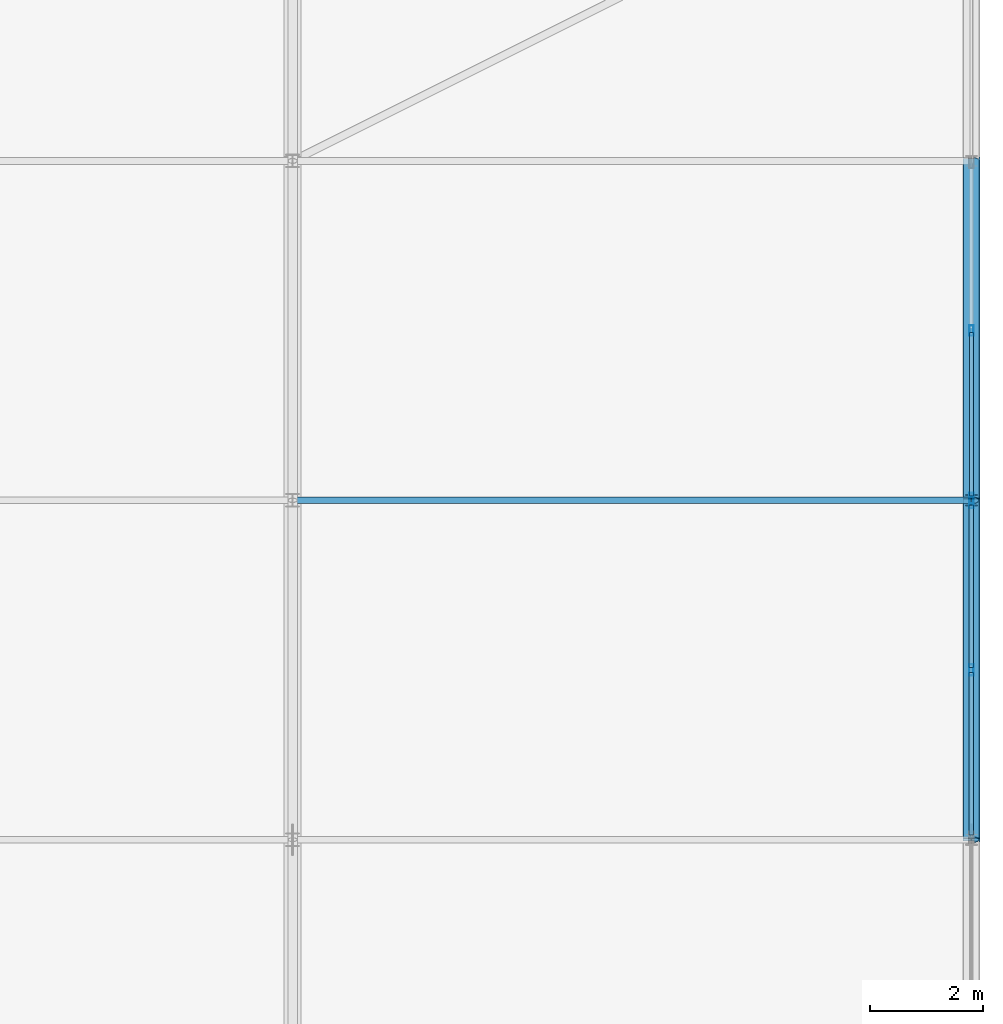
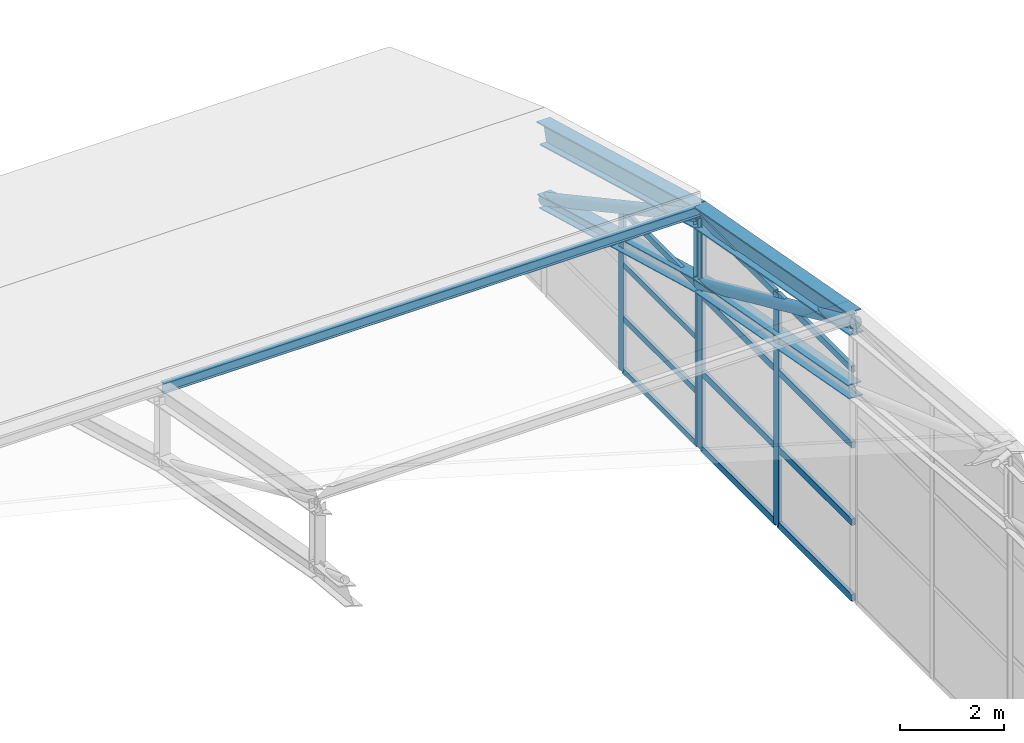
# One storey, part 114 of 204: 24 members, 2 elements without a shape of their own.
"""IFC4 building model written with IfcOpenShell, lengths in metres."""

from ifc_helpers import new_model, si_unit, direction, frame, origin, origin_2d, place, context, subcontext, project, spatial, hollow_rectangle, hollow_circle, i_section, extrude, material, layer, layer_set, material_profile, profile_set, type_object, element, aggregate, save


model = new_model("IFC4")

# Units and contexts
model_context = context("Model", 3, precision=1e-05, world=origin(), true_north=direction((0.0, 1.0)))
body_context = subcontext(model_context, "Body", "Model", "MODEL_VIEW")
ifc_project = project(units=[si_unit("LENGTHUNIT", "METRE"), si_unit("AREAUNIT", "SQUARE_METRE"), si_unit("VOLUMEUNIT", "CUBIC_METRE"), si_unit("PLANEANGLEUNIT", "RADIAN"), si_unit("MASSUNIT", "GRAM", prefix="KILO")], contexts=[model_context])

# Site, building, storey
site_placement = place(None, origin())
site = spatial("IfcSite", under=ifc_project, at=site_placement, CompositionType="ELEMENT")
building_placement = place(site_placement, origin())
building = spatial("IfcBuilding", under=site, at=building_placement, Name="Zilviju Railside Exhibition Hall", CompositionType="ELEMENT")
storey_placement = place(building_placement, frame((0.0, 0.0, 21.0)))
storey = spatial("IfcBuildingStorey", under=building, at=storey_placement, Name="RF", CompositionType="ELEMENT", Elevation=21.0)

# Curtain wall, members
ifc_material_1 = material(Name="Thermally broken aluminium-steel triple-glazed curtain wall", Category="steel")
ifc_layer_1 = layer(ifc_material_1, 0.179931640625)
ifc_layer_set_1 = layer_set([ifc_layer_1], Name="Thermally broken aluminium-steel triple-glazed curtain wall")
curtain_wall_type_1 = type_object("IfcCurtainWallType", Name="CW-BAY-05", PredefinedType="USERDEFINED", material=ifc_layer_set_1)
curtain_wall_1_placement = place(storey_placement, origin())
curtain_wall_1 = element("IfcCurtainWall", 1, at=curtain_wall_1_placement, inside=storey, type_object=curtain_wall_type_1, Name="South Hall Arch Tympanum Glazing East P8", ObjectType="GLAZED CURTAIN WALL", PredefinedType="USERDEFINED")
ifc_material_2 = material(Name="Thermally broken anodized aluminium mullion", Category="aluminium")
ifc_material_profile_1 = material_profile(ifc_material_2, hollow_rectangle(XDim=0.074951171875, YDim=0.18994140625, WallThickness=0.0048828125, at=origin_2d()), Name="MULLION 190x75x5")
ifc_profile_set_1 = profile_set([ifc_material_profile_1], Name="Thermally broken anodized aluminium mullion")
member_type_1 = type_object("IfcMemberType", Name="CWM-75x190", PredefinedType="MULLION", material=ifc_profile_set_1)
member_1_placement = place(storey_placement, frame((216.0, 45.0, -7.800048828125), z_axis=(0.0, 0.0, 1.0), x_axis=(1.0, 0.0, 0.0)))
member_1 = element("IfcMember", 2, at=member_1_placement, type_object=member_type_1, Name="CW-05 mullion 2", PredefinedType="MULLION", context=body_context, shape_type="SweptSolid", body=[
    extrude(hollow_rectangle(XDim=0.074951171875, YDim=0.18994140625, WallThickness=0.0048828125, at=origin_2d()), origin(), (0.0, 0.0, 1.0), 3.81201171875),
])
member_2_placement = place(storey_placement, frame((216.0, 42.03759765625, -7.800048828125), z_axis=(0.0, 0.0, 1.0), x_axis=(1.0, 0.0, 0.0)))
member_2 = element("IfcMember", 3, at=member_2_placement, type_object=member_type_1, Name="CW-05 mullion 3", PredefinedType="MULLION", context=body_context, shape_type="SweptSolid", body=[
    extrude(hollow_rectangle(XDim=0.074951171875, YDim=0.18994140625, WallThickness=0.0048828125, at=origin_2d()), origin(), (0.0, 0.0, 1.0), 3.81201171875),
])

ifc_layer_2 = layer(ifc_material_1, 0.179931640625)
ifc_layer_set_2 = layer_set([ifc_layer_2], Name="Thermally broken aluminium-steel triple-glazed curtain wall")
curtain_wall_type_2 = type_object("IfcCurtainWallType", Name="CW-BAY-04", PredefinedType="USERDEFINED", material=ifc_layer_set_2)
curtain_wall_2_placement = place(storey_placement, origin())
curtain_wall_2 = element("IfcCurtainWall", 4, at=curtain_wall_2_placement, inside=storey, type_object=curtain_wall_type_2, Name="South Hall Arch Tympanum Glazing East P7", ObjectType="GLAZED CURTAIN WALL", PredefinedType="USERDEFINED")
ifc_material_profile_2 = material_profile(ifc_material_2, hollow_rectangle(XDim=0.080078125, YDim=0.199951171875, WallThickness=0.0048828125, at=origin_2d()), Name="MULLION 200x80x5")
ifc_profile_set_2 = profile_set([ifc_material_profile_2], Name="Thermally broken anodized aluminium mullion")
member_type_2 = type_object("IfcMemberType", Name="CWM-80x200", PredefinedType="MULLION", material=ifc_profile_set_2)
member_3_placement = place(storey_placement, frame((216.0, 41.9599609375, -7.800048828125), z_axis=(0.0, 0.0, 1.0), x_axis=(1.0, 0.0, 0.0)))
member_3 = element("IfcMember", 5, at=member_3_placement, type_object=member_type_2, Name="CW-04 mullion 1", PredefinedType="MULLION", context=body_context, shape_type="SweptSolid", body=[
    extrude(hollow_rectangle(XDim=0.080078125, YDim=0.199951171875, WallThickness=0.0048828125, at=origin_2d()), origin(), (0.0, 0.0, 1.0), 5.47216796875),
])
member_4_placement = place(storey_placement, frame((216.0, 39.0, -7.800048828125), z_axis=(0.0, 0.0, 1.0), x_axis=(1.0, 0.0, 0.0)))
member_4 = element("IfcMember", 6, at=member_4_placement, type_object=member_type_2, Name="CW-04 mullion 2", PredefinedType="MULLION", context=body_context, shape_type="SweptSolid", body=[
    extrude(hollow_rectangle(XDim=0.080078125, YDim=0.199951171875, WallThickness=0.0048828125, at=origin_2d()), origin(), (0.0, 0.0, 1.0), 5.47216796875),
])

# Member
ifc_material_3 = material(Name="Thermally broken anodized aluminium transom", Category="aluminium")
ifc_material_profile_3 = material_profile(ifc_material_3, hollow_rectangle(XDim=0.074951171875, YDim=0.139892578125, WallThickness=0.0048828125, at=origin_2d()), Name="TRANSOM 140x75x5")
ifc_profile_set_3 = profile_set([ifc_material_profile_3], Name="Thermally broken anodized aluminium transom")
member_type_3 = type_object("IfcMemberType", Name="CWT-75x140", PredefinedType="USERDEFINED", material=ifc_profile_set_3)
member_5_placement = place(storey_placement, frame((216.0, 44.96240234375, -7.762451171875), z_axis=(0.0, -1.0, 0.0), x_axis=(1.0, 0.0, 0.0)))
member_5 = element("IfcMember", 7, at=member_5_placement, type_object=member_type_3, Name="CW-05 transom 2.1", ObjectType="TRANSOM", PredefinedType="USERDEFINED", context=body_context, shape_type="SweptSolid", body=[
    extrude(hollow_rectangle(XDim=0.074951171875, YDim=0.139892578125, WallThickness=0.0048828125, at=origin_2d()), origin(), (0.0, 0.0, 1.0), 2.887451171875),
])

member_6_placement = place(storey_placement, frame((216.0, 44.96240234375, -6.529052734375), z_axis=(0.0, -1.0, 0.0), x_axis=(1.0, 0.0, 0.0)))
member_6 = element("IfcMember", 8, at=member_6_placement, type_object=member_type_3, Name="CW-05 transom 2.2", ObjectType="TRANSOM", PredefinedType="USERDEFINED", context=body_context, shape_type="SweptSolid", body=[
    extrude(hollow_rectangle(XDim=0.074951171875, YDim=0.139892578125, WallThickness=0.0048828125, at=origin_2d()), origin(), (0.0, 0.0, 1.0), 2.887451171875),
])

member_7_placement = place(storey_placement, frame((216.0, 44.96240234375, -5.259033203125), z_axis=(0.0, -1.0, 0.0), x_axis=(1.0, 0.0, 0.0)))
member_7 = element("IfcMember", 9, at=member_7_placement, type_object=member_type_3, Name="CW-05 transom 2.3", ObjectType="TRANSOM", PredefinedType="USERDEFINED", context=body_context, shape_type="SweptSolid", body=[
    extrude(hollow_rectangle(XDim=0.074951171875, YDim=0.139892578125, WallThickness=0.0048828125, at=origin_2d()), origin(), (0.0, 0.0, 1.0), 2.887451171875),
])

member_8_placement = place(storey_placement, frame((216.0, 44.96240234375, -4.025390625), z_axis=(0.0, -1.0, 0.0), x_axis=(1.0, 0.0, 0.0)))
member_8 = element("IfcMember", 10, at=member_8_placement, type_object=member_type_3, Name="CW-05 transom 2.4", ObjectType="TRANSOM", PredefinedType="USERDEFINED", context=body_context, shape_type="SweptSolid", body=[
    extrude(hollow_rectangle(XDim=0.074951171875, YDim=0.139892578125, WallThickness=0.0048828125, at=origin_2d()), origin(), (0.0, 0.0, 1.0), 2.887451171875),
])

aggregate(curtain_wall_1, [member_1, member_2, member_5, member_6, member_7, member_8])

ifc_material_profile_4 = material_profile(ifc_material_3, hollow_rectangle(XDim=0.080078125, YDim=0.159912109375, WallThickness=0.0048828125, at=origin_2d()), Name="TRANSOM 160x80x5")
ifc_profile_set_4 = profile_set([ifc_material_profile_4], Name="Thermally broken anodized aluminium transom")
member_type_4 = type_object("IfcMemberType", Name="CWT-80x160", PredefinedType="USERDEFINED", material=ifc_profile_set_4)
member_9_placement = place(storey_placement, frame((216.0, 41.919921875, -7.760009765625), z_axis=(0.0, -1.0, 0.0), x_axis=(1.0, 0.0, 0.0)))
member_9 = element("IfcMember", 11, at=member_9_placement, type_object=member_type_4, Name="CW-04 transom 1.1", ObjectType="TRANSOM", PredefinedType="USERDEFINED", context=body_context, shape_type="SweptSolid", body=[
    extrude(hollow_rectangle(XDim=0.080078125, YDim=0.159912109375, WallThickness=0.0048828125, at=origin_2d()), origin(), (0.0, 0.0, 1.0), 2.8798828125),
])

member_10_placement = place(storey_placement, frame((216.0, 41.919921875, -5.97607421875), z_axis=(0.0, -1.0, 0.0), x_axis=(1.0, 0.0, 0.0)))
member_10 = element("IfcMember", 12, at=member_10_placement, type_object=member_type_4, Name="CW-04 transom 1.2", ObjectType="TRANSOM", PredefinedType="USERDEFINED", context=body_context, shape_type="SweptSolid", body=[
    extrude(hollow_rectangle(XDim=0.080078125, YDim=0.159912109375, WallThickness=0.0048828125, at=origin_2d()), origin(), (0.0, 0.0, 1.0), 2.8798828125),
])

member_11_placement = place(storey_placement, frame((216.0, 41.919921875, -4.152099609375), z_axis=(0.0, -1.0, 0.0), x_axis=(1.0, 0.0, 0.0)))
member_11 = element("IfcMember", 13, at=member_11_placement, type_object=member_type_4, Name="CW-04 transom 1.3", ObjectType="TRANSOM", PredefinedType="USERDEFINED", context=body_context, shape_type="SweptSolid", body=[
    extrude(hollow_rectangle(XDim=0.080078125, YDim=0.159912109375, WallThickness=0.0048828125, at=origin_2d()), origin(), (0.0, 0.0, 1.0), 2.8798828125),
])

member_12_placement = place(storey_placement, frame((216.0, 41.919921875, -2.367919921875), z_axis=(0.0, -1.0, 0.0), x_axis=(1.0, 0.0, 0.0)))
member_12 = element("IfcMember", 14, at=member_12_placement, type_object=member_type_4, Name="CW-04 transom 1.4", ObjectType="TRANSOM", PredefinedType="USERDEFINED", context=body_context, shape_type="SweptSolid", body=[
    extrude(hollow_rectangle(XDim=0.080078125, YDim=0.159912109375, WallThickness=0.0048828125, at=origin_2d()), origin(), (0.0, 0.0, 1.0), 2.8798828125),
])

member_13_placement = place(storey_placement, frame((216.0, 38.9599609375, -7.760009765625), z_axis=(0.0, -1.0, 0.0), x_axis=(1.0, 0.0, 0.0)))
member_13 = element("IfcMember", 15, at=member_13_placement, type_object=member_type_4, Name="CW-04 transom 2.1", ObjectType="TRANSOM", PredefinedType="USERDEFINED", context=body_context, shape_type="SweptSolid", body=[
    extrude(hollow_rectangle(XDim=0.080078125, YDim=0.159912109375, WallThickness=0.0048828125, at=origin_2d()), origin(), (0.0, 0.0, 1.0), 2.8798828125),
])

member_14_placement = place(storey_placement, frame((216.0, 38.9599609375, -5.97607421875), z_axis=(0.0, -1.0, 0.0), x_axis=(1.0, 0.0, 0.0)))
member_14 = element("IfcMember", 16, at=member_14_placement, type_object=member_type_4, Name="CW-04 transom 2.2", ObjectType="TRANSOM", PredefinedType="USERDEFINED", context=body_context, shape_type="SweptSolid", body=[
    extrude(hollow_rectangle(XDim=0.080078125, YDim=0.159912109375, WallThickness=0.0048828125, at=origin_2d()), origin(), (0.0, 0.0, 1.0), 2.8798828125),
])

member_15_placement = place(storey_placement, frame((216.0, 38.9599609375, -4.152099609375), z_axis=(0.0, -1.0, 0.0), x_axis=(1.0, 0.0, 0.0)))
member_15 = element("IfcMember", 17, at=member_15_placement, type_object=member_type_4, Name="CW-04 transom 2.3", ObjectType="TRANSOM", PredefinedType="USERDEFINED", context=body_context, shape_type="SweptSolid", body=[
    extrude(hollow_rectangle(XDim=0.080078125, YDim=0.159912109375, WallThickness=0.0048828125, at=origin_2d()), origin(), (0.0, 0.0, 1.0), 2.8798828125),
])

member_16_placement = place(storey_placement, frame((216.0, 38.9599609375, -2.367919921875), z_axis=(0.0, -1.0, 0.0), x_axis=(1.0, 0.0, 0.0)))
member_16 = element("IfcMember", 18, at=member_16_placement, type_object=member_type_4, Name="CW-04 transom 2.4", ObjectType="TRANSOM", PredefinedType="USERDEFINED", context=body_context, shape_type="SweptSolid", body=[
    extrude(hollow_rectangle(XDim=0.080078125, YDim=0.159912109375, WallThickness=0.0048828125, at=origin_2d()), origin(), (0.0, 0.0, 1.0), 2.8798828125),
])

aggregate(curtain_wall_2, [member_3, member_4, member_9, member_10, member_11, member_12, member_13, member_14, member_15, member_16])

# Members
ifc_material_4 = material(Name="Steel S355ML", Category="steel")
ifc_material_profile_5 = material_profile(ifc_material_4, hollow_circle(Radius=0.136474609375, WallThickness=0.012451171875, at=origin_2d()), Name="CHS 273.0x12.5")
ifc_profile_set_5 = profile_set([ifc_material_profile_5], Name="Steel S355ML")
member_type_5 = type_object("IfcMemberType", Name="TR-BR-CHS273", PredefinedType="BRACE", material=ifc_profile_set_5)
member_17_placement = place(storey_placement, frame((216.0, 36.0, -1.22216796875), z_axis=(0.0, 0.911563042822, -0.411160332425), x_axis=(-1.0, 0.0, 0.0)))
element("IfcMember", 19, at=member_17_placement, inside=storey, type_object=member_type_5, Name="V1 Parabolic Arch Web Diagonal X=216.0 P7", PredefinedType="BRACE", context=body_context, shape_type="SweptSolid", body=[
    extrude(hollow_circle(Radius=0.136474609375, WallThickness=0.012451171875, at=origin_2d()), origin(), (0.0, 0.0, 1.0), 6.58203125),
])
member_18_placement = place(storey_placement, frame((216.0, 42.0, -2.328369140625), z_axis=(0.0, 0.87872232578, -0.477333294644), x_axis=(-1.0, 0.0, 0.0)))
element("IfcMember", 20, at=member_18_placement, inside=storey, type_object=member_type_5, Name="V1 Parabolic Arch Web Diagonal X=216.0 P8", PredefinedType="BRACE", context=body_context, shape_type="SweptSolid", body=[
    extrude(hollow_circle(Radius=0.136474609375, WallThickness=0.012451171875, at=origin_2d()), origin(), (0.0, 0.0, 1.0), 6.828125),
])
ifc_material_profile_6 = material_profile(ifc_material_4, i_section(OverallWidth=0.300048828125, OverallDepth=0.300048828125, WebThickness=0.010986328125, FlangeThickness=0.01904296875, at=origin_2d()), Name="HEB 300")
ifc_profile_set_6 = profile_set([ifc_material_profile_6], Name="Steel S355ML")
member_type_6 = type_object("IfcMemberType", Name="TR-CH-HEB300", PredefinedType="CHORD", material=ifc_profile_set_6)
member_19_placement = place(storey_placement, frame((216.0, 36.0, -2.822265625), z_axis=(0.0, 0.98342578549, -0.18131112606), x_axis=(-1.0, 0.0, 0.0)))
element("IfcMember", 21, at=member_19_placement, inside=storey, type_object=member_type_6, Name="V1 Parabolic Arch Bottom Chord X=216.0 P7", PredefinedType="CHORD", context=body_context, shape_type="SweptSolid", body=[
    extrude(i_section(OverallWidth=0.300048828125, OverallDepth=0.300048828125, WebThickness=0.010986328125, FlangeThickness=0.01904296875, at=origin_2d()), origin(), (0.0, 0.0, 1.0), 6.10107421875),
])
member_20_placement = place(storey_placement, frame((216.0, 42.0, -3.928466796875), z_axis=(0.0, 0.963827412659, -0.266527144223), x_axis=(-1.0, 0.0, 0.0)))
element("IfcMember", 22, at=member_20_placement, inside=storey, type_object=member_type_6, Name="V1 Parabolic Arch Bottom Chord X=216.0 P8", PredefinedType="CHORD", context=body_context, shape_type="SweptSolid", body=[
    extrude(i_section(OverallWidth=0.300048828125, OverallDepth=0.300048828125, WebThickness=0.010986328125, FlangeThickness=0.01904296875, at=origin_2d()), origin(), (0.0, 0.0, 1.0), 6.22509765625),
])
ifc_material_profile_7 = material_profile(ifc_material_4, i_section(OverallWidth=0.300048828125, OverallDepth=0.5, WebThickness=0.014404296875, FlangeThickness=0.028076171875, at=origin_2d()), Name="HEB 500")
ifc_profile_set_7 = profile_set([ifc_material_profile_7], Name="Steel S355ML")
member_type_7 = type_object("IfcMemberType", Name="TR-CH-HEB500-ML", PredefinedType="CHORD", material=ifc_profile_set_7)
member_21_placement = place(storey_placement, frame((216.0, 36.0, -1.22216796875), z_axis=(0.0, 0.98342578549, -0.18131112606), x_axis=(-1.0, 0.0, 0.0)))
element("IfcMember", 23, at=member_21_placement, inside=storey, type_object=member_type_7, Name="V1 Parabolic Arch Top Chord X=216.0 P7", PredefinedType="CHORD", context=body_context, shape_type="SweptSolid", body=[
    extrude(i_section(OverallWidth=0.300048828125, OverallDepth=0.5, WebThickness=0.014404296875, FlangeThickness=0.028076171875, at=origin_2d()), origin(), (0.0, 0.0, 1.0), 6.10107421875),
])
member_22_placement = place(storey_placement, frame((216.0, 42.0, -2.328369140625), z_axis=(0.0, 0.963827412659, -0.266527144223), x_axis=(-1.0, 0.0, 0.0)))
element("IfcMember", 24, at=member_22_placement, inside=storey, type_object=member_type_7, Name="V1 Parabolic Arch Top Chord X=216.0 P8", PredefinedType="CHORD", context=body_context, shape_type="SweptSolid", body=[
    extrude(i_section(OverallWidth=0.300048828125, OverallDepth=0.5, WebThickness=0.014404296875, FlangeThickness=0.028076171875, at=origin_2d()), origin(), (0.0, 0.0, 1.0), 6.22509765625),
])
ifc_material_profile_8 = material_profile(ifc_material_4, i_section(OverallWidth=0.199951171875, OverallDepth=0.18994140625, WebThickness=0.006591796875, FlangeThickness=0.010009765625, at=origin_2d()), Name="HEA 200")
ifc_profile_set_8 = profile_set([ifc_material_profile_8], Name="Steel S355ML")
member_type_8 = type_object("IfcMemberType", Name="TR-POST-HEA200", PredefinedType="POST", material=ifc_profile_set_8)
member_23_placement = place(storey_placement, frame((216.0, 42.0, -3.928466796875), z_axis=(0.0, 0.0, 1.0), x_axis=(1.0, 0.0, 0.0)))
element("IfcMember", 25, at=member_23_placement, inside=storey, type_object=member_type_8, Name="V1 Parabolic Arch Web Post X=216.0 N7", PredefinedType="POST", context=body_context, shape_type="SweptSolid", body=[
    extrude(i_section(OverallWidth=0.199951171875, OverallDepth=0.18994140625, WebThickness=0.006591796875, FlangeThickness=0.010009765625, at=origin_2d()), origin(), (0.0, 0.0, 1.0), 1.60009765625),
])
ifc_material_5 = material(Name="Steel S355J2", Category="steel")
ifc_material_profile_9 = material_profile(ifc_material_5, i_section(OverallWidth=0.1201171875, OverallDepth=0.239990234375, WebThickness=0.006103515625, FlangeThickness=0.009765625, at=origin_2d()), Name="IPE 240")
ifc_profile_set_9 = profile_set([ifc_material_profile_9], Name="Steel S355J2")
member_type_9 = type_object("IfcMemberType", Name="TR-PUR-IPE240", PredefinedType="PURLIN", material=ifc_profile_set_9)
member_24_placement = place(storey_placement, frame((204.0, 42.0, -2.193603515625), z_axis=(1.0, 0.0, 0.0), x_axis=(0.0, 1.0, 0.0)))
element("IfcMember", 26, at=member_24_placement, inside=storey, type_object=member_type_9, Name="V1 Barrel Vault Roof Purlin Y=42.0 (204.0..216.0)", PredefinedType="PURLIN", context=body_context, shape_type="SweptSolid", body=[
    extrude(i_section(OverallWidth=0.1201171875, OverallDepth=0.239990234375, WebThickness=0.006103515625, FlangeThickness=0.009765625, at=origin_2d()), origin(), (0.0, 0.0, 1.0), 12.0),
])

save(model, "model.ifc")
